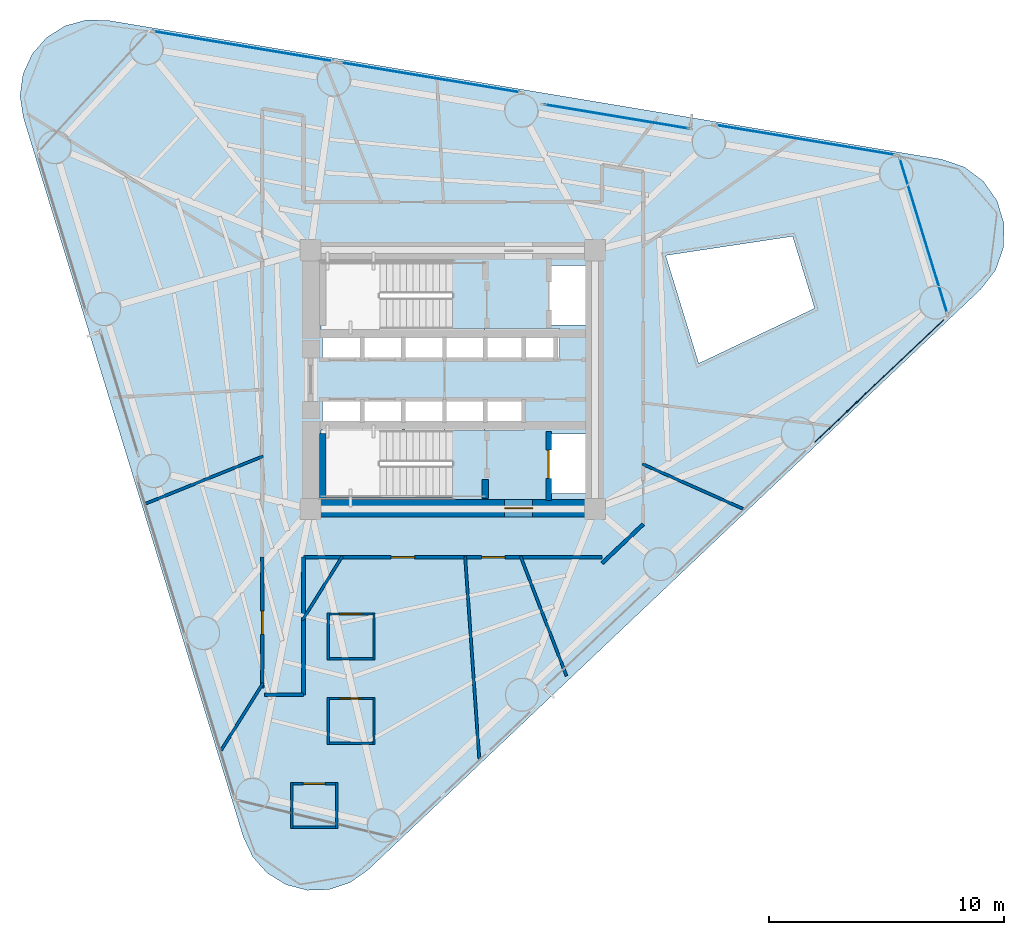
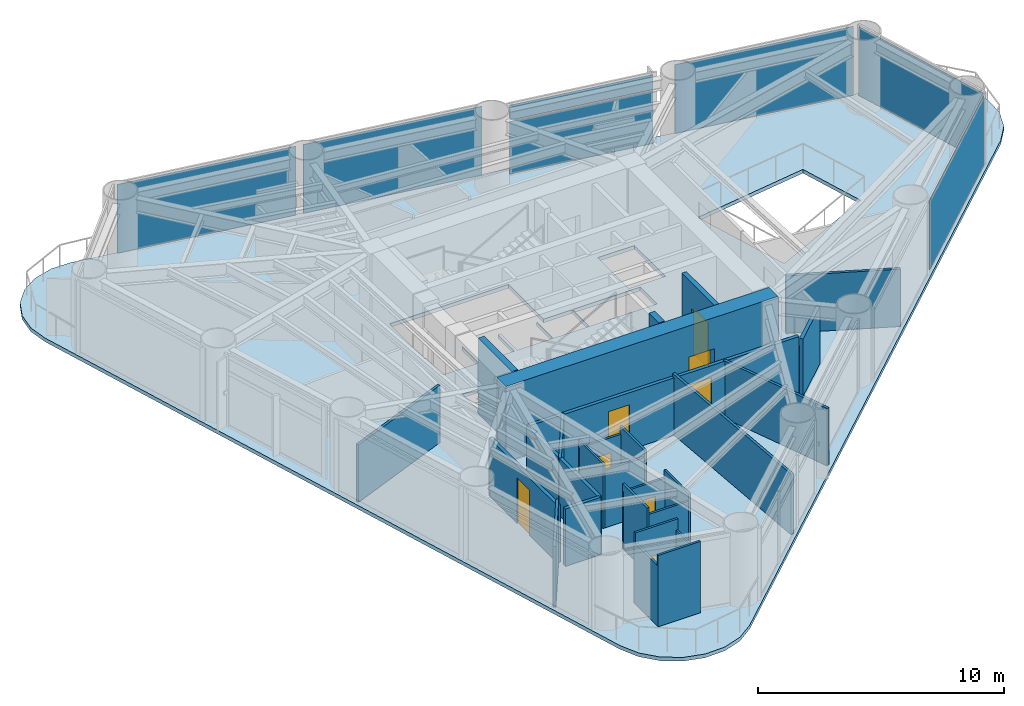
# One storey, part 5 of 10: 27 walls, 8 doors, 7 plates, 1 slab, 8 openings, 6 elements without a shape of their own.
"""IFC4 building model written with IfcOpenShell, lengths in metres."""

from ifc_helpers import new_model, si_unit, direction, frame, frame_2d, origin, origin_2d, place, context, subcontext, project, spatial, polyline, rectangle, outline, extrude, source, transform, mapped, material, layer, layer_set, type_object, element, fill, aggregate, save


model = new_model("IFC4")

# Units and contexts
model_context = context("Model", 3, precision=1e-05, world=origin(), true_north=direction((0.0, 1.0)))
body_context = subcontext(model_context, "Body", "Model", "MODEL_VIEW")
ifc_project = project(units=[si_unit("LENGTHUNIT", "METRE"), si_unit("AREAUNIT", "SQUARE_METRE"), si_unit("VOLUMEUNIT", "CUBIC_METRE"), si_unit("PLANEANGLEUNIT", "RADIAN"), si_unit("MASSUNIT", "GRAM", prefix="KILO")], contexts=[model_context])

# Site, building, storey
site_placement = place(None, origin())
site = spatial("IfcSite", under=ifc_project, at=site_placement, CompositionType="ELEMENT")
building_placement = place(site_placement, origin())
building = spatial("IfcBuilding", under=site, at=building_placement, Name="Yunling Apex Tower", CompositionType="ELEMENT")
storey_placement = place(building_placement, frame((0.0, 0.0, 108.64990234375)))
storey = spatial("IfcBuildingStorey", under=building, at=storey_placement, Name="L27", CompositionType="ELEMENT", Elevation=108.64990234375)

# Slab
ifc_material_1 = material(Name="Concrete C40", Category="concrete")
ifc_layer_1 = layer(ifc_material_1, 0.179931640625)
ifc_layer_set_1 = layer_set([ifc_layer_1], Name="Concrete C40")
slab_type = type_object("IfcSlabType", Name="SL-FLR-1", PredefinedType="FLOOR", material=ifc_layer_set_1)
slab_placement = place(storey_placement, frame((0.0, 0.0, -0.184814453125)))
element("IfcSlab", 1, at=slab_placement, inside=storey, type_object=slab_type, Name="L27 Composite Tower Floor Slab", PredefinedType="FLOOR", context=body_context, shape_type="SweptSolid", body=[
    extrude(outline(polyline([(-8.89990234375, -19.45263671875), (-8.50146484375, -20.294921875), (-7.87841796875, -20.98779296875), (-7.083251953125, -21.473388671875), (-6.182373046875, -21.710693359375), (-5.251220703125, -21.680419921875), (-4.367431640625, -21.384765625), (-3.605712890625, -20.848388671875), (22.4599609375, 3.852294921875), (23.077880859375, 4.65869140625), (23.413818359375, 5.61767578125), (23.434326171875, 6.63330078125), (23.13720703125, 7.60498046875), (22.55224609375, 8.435791015625), (21.737548828125, 9.042724609375), (20.774169921875, 9.36572265625), (-14.6474609375, 15.267822265625), (-15.5791015625, 15.28662109375), (-16.476806640625, 15.03759765625), (-17.265869140625, 14.5419921875), (-17.8798828125, 13.84130859375), (-18.267578125, 12.993896484375), (-18.396728515625, 12.0712890625), (-18.256103515625, 11.150390625), (-8.89990234375, -19.45263671875)]), holes=[polyline([(14.45068359375, 6.091064453125), (15.385986328125, 3.031005859375), (10.4560546875, 0.68701171875), (9.052490234375, 5.27734375), (14.45068359375, 6.091064453125)]), polyline([(5.81005859375, -2.320068359375), (5.81005859375, -4.840087890625), (4.090087890625, -4.840087890625), (4.090087890625, -2.320068359375), (5.81005859375, -2.320068359375)]), polyline([(5.81005859375, 4.840087890625), (5.81005859375, 2.320068359375), (4.090087890625, 2.320068359375), (4.090087890625, 4.840087890625), (5.81005859375, 4.840087890625)]), polyline([(4.534912109375, 0.794921875), (1.364990234375, 0.794921875), (1.364990234375, 2.1650390625), (4.534912109375, 2.1650390625), (4.534912109375, 0.794921875)]), polyline([(3.034912109375, -0.794921875), (3.034912109375, -2.1650390625), (1.364990234375, -2.1650390625), (1.364990234375, -0.794921875), (3.034912109375, -0.794921875)]), polyline([(-3.864990234375, -0.794921875), (-3.864990234375, -2.139892578125), (-3.8349609375, -2.139892578125), (-3.8349609375, -0.794921875), (-2.1650390625, -0.794921875), (-2.1650390625, -2.139892578125), (-2.034912109375, -2.139892578125), (-2.034912109375, -0.794921875), (-0.364990234375, -0.794921875), (-0.364990234375, -2.139892578125), (-0.3349609375, -2.139892578125), (-0.3349609375, -0.794921875), (1.3349609375, -0.794921875), (1.3349609375, -2.1650390625), (-0.010009765625, -2.1650390625), (-0.010009765625, -5.010009765625), (-5.60009765625, -5.010009765625), (-5.60009765625, -2.139892578125), (-5.534912109375, -2.139892578125), (-5.534912109375, -0.794921875), (-3.864990234375, -0.794921875)]), polyline([(-5.60009765625, 2.139892578125), (-5.60009765625, 5.010009765625), (-0.010009765625, 5.010009765625), (-0.010009765625, 2.1650390625), (1.3349609375, 2.1650390625), (1.3349609375, 0.794921875), (-0.3349609375, 0.794921875), (-0.3349609375, 2.139892578125), (-0.364990234375, 2.139892578125), (-0.364990234375, 0.794921875), (-2.034912109375, 0.794921875), (-2.034912109375, 2.139892578125), (-2.1650390625, 2.139892578125), (-2.1650390625, 0.794921875), (-3.8349609375, 0.794921875), (-3.8349609375, 2.139892578125), (-3.864990234375, 2.139892578125), (-3.864990234375, 0.794921875), (-5.534912109375, 0.794921875), (-5.534912109375, 2.139892578125), (-5.60009765625, 2.139892578125)])]), origin(), (0.0, 0.0, 1.0), 0.184814453125),
])

# Curtain wall, plates
ifc_material_2 = material(Name="Bronze anodised aluminium", Category="aluminium")
ifc_layer_2 = layer(ifc_material_2, 0.260009765625)
ifc_layer_set_2 = layer_set([ifc_layer_2], Name="Bronze anodised aluminium")
curtain_wall_type = type_object("IfcCurtainWallType", Name="CW-SYS-2", PredefinedType="NOTDEFINED", material=ifc_layer_set_2)
curtain_wall_1_placement = place(storey_placement, origin())
curtain_wall_1 = element("IfcCurtainWall", 2, at=curtain_wall_1_placement, inside=storey, type_object=curtain_wall_type, Name="CW-L27-F2-B2", PredefinedType="NOTDEFINED")
ifc_material_3 = material(Name="Bronze tinted low-E glass", Category="glass")
ifc_layer_3 = layer(ifc_material_3, 0.033935546875)
ifc_layer_set_3 = layer_set([ifc_layer_3], Name="Bronze tinted low-E glass")
plate_type = type_object("IfcPlateType", Name="CW-PNL-2", PredefinedType="CURTAIN_PANEL", material=ifc_layer_set_3)
shared_shape_1 = source(origin(), body_context, "Body", "SweptSolid", [
    extrude(rectangle(XDim=6.236328125, YDim=0.033935546875, at=origin_2d()), origin(), (0.0, 0.0, 1.0), 2.60400390625),
])
plate_1_placement = place(storey_placement, frame((6.96923828125, 11.17919921875, 0.076904296875), z_axis=(0.0, 0.0, 1.0), x_axis=(-0.986401113409, 0.164355844023, 0.0)))
plate_1 = element("IfcPlate", 3, at=plate_1_placement, type_object=plate_type, Name="CW-SYS-2 panel 1.1", PredefinedType="CURTAIN_PANEL", context=body_context, shape_type="MappedRepresentation", body=[
    mapped(shared_shape_1, transform((0.0, 0.0, 0.0), scale=1.0)),
])
shared_shape_2 = source(origin(), body_context, "Body", "SweptSolid", [
    extrude(rectangle(XDim=6.236328125, YDim=0.033935546875, at=origin_2d()), origin(), (0.0, 0.0, 1.0), 0.739013671875),
])
plate_2_placement = place(storey_placement, frame((6.96923828125, 11.17919921875, 2.74951171875), z_axis=(0.0, 0.0, 1.0), x_axis=(-0.986401113409, 0.164355844023, 0.0)))
plate_2 = element("IfcPlate", 4, at=plate_2_placement, type_object=plate_type, Name="CW-SYS-2 panel 1.2", PredefinedType="CURTAIN_PANEL", context=body_context, shape_type="MappedRepresentation", body=[
    mapped(shared_shape_2, transform((0.0, 0.0, 0.0), scale=1.0)),
])
aggregate(curtain_wall_1, [plate_1, plate_2])

# Curtain wall, plate
curtain_wall_2_placement = place(storey_placement, origin())
curtain_wall_2 = element("IfcCurtainWall", 5, at=curtain_wall_2_placement, inside=storey, type_object=curtain_wall_type, Name="CW-L27-F1-B4", PredefinedType="NOTDEFINED")
shared_shape_3 = source(origin(), body_context, "Body", "SweptSolid", [
    extrude(rectangle(XDim=7.766357421875, YDim=0.033935546875, at=origin_2d()), origin(), (0.0, 0.0, 1.0), 3.41162109375),
])
plate_3_placement = place(storey_placement, frame((18.1279296875, -0.06005859375, 0.076904296875), z_axis=(0.0, 0.0, 1.0), x_axis=(0.72584218686, 0.687861264918, 0.0)))
plate_3 = element("IfcPlate", 6, at=plate_3_placement, type_object=plate_type, Name="CW-SYS-2 panel 1.1", PredefinedType="CURTAIN_PANEL", context=body_context, shape_type="MappedRepresentation", body=[
    mapped(shared_shape_3, transform((0.0, 0.0, 0.0), scale=1.0)),
])
aggregate(curtain_wall_2, [plate_3])

curtain_wall_3_placement = place(storey_placement, origin())
curtain_wall_3 = element("IfcCurtainWall", 7, at=curtain_wall_3_placement, inside=storey, type_object=curtain_wall_type, Name="CW-L27-F2-B1", PredefinedType="NOTDEFINED")
plate_4_placement = place(storey_placement, frame((14.9951171875, 10.186767578125, 0.076904296875), z_axis=(0.0, 0.0, 1.0), x_axis=(-0.98640040698, 0.16436008369, 0.0)))
plate_4 = element("IfcPlate", 8, at=plate_4_placement, type_object=plate_type, Name="CW-SYS-2 panel 1.1", PredefinedType="CURTAIN_PANEL", context=body_context, shape_type="MappedRepresentation", body=[
    mapped(shared_shape_3, transform((0.0, 0.0, 0.0), scale=1.0)),
])
aggregate(curtain_wall_3, [plate_4])

curtain_wall_4_placement = place(storey_placement, origin())
curtain_wall_4 = element("IfcCurtainWall", 9, at=curtain_wall_4_placement, inside=storey, type_object=curtain_wall_type, Name="CW-L27-F2-B4", PredefinedType="NOTDEFINED")
plate_5_placement = place(storey_placement, frame((-8.91455078125, 14.170654296875, 0.076904296875), z_axis=(0.0, 0.0, 1.0), x_axis=(-0.98640040698, 0.16436008369, 0.0)))
plate_5 = element("IfcPlate", 10, at=plate_5_placement, type_object=plate_type, Name="CW-SYS-2 panel 1.1", PredefinedType="CURTAIN_PANEL", context=body_context, shape_type="MappedRepresentation", body=[
    mapped(shared_shape_3, transform((0.0, 0.0, 0.0), scale=1.0)),
])
aggregate(curtain_wall_4, [plate_5])

curtain_wall_5_placement = place(storey_placement, origin())
curtain_wall_5 = element("IfcCurtainWall", 11, at=curtain_wall_5_placement, inside=storey, type_object=curtain_wall_type, Name="CW-L27-CRN1", PredefinedType="NOTDEFINED")
shared_shape_4 = source(origin(), body_context, "Body", "SweptSolid", [
    extrude(rectangle(XDim=6.925537109375, YDim=0.033935546875, at=origin_2d()), origin(), (0.0, 0.0, 1.0), 3.41162109375),
])
plate_6_placement = place(storey_placement, frame((20.01171875, 6.1181640625, 0.076904296875), z_axis=(0.0, 0.0, 1.0), x_axis=(-0.292375009223, 0.95630374567, 0.0)))
plate_6 = element("IfcPlate", 12, at=plate_6_placement, type_object=plate_type, Name="CW-SYS-2 panel 1.1", PredefinedType="CURTAIN_PANEL", context=body_context, shape_type="MappedRepresentation", body=[
    mapped(shared_shape_4, transform((0.0, 0.0, 0.0), scale=1.0)),
])
aggregate(curtain_wall_5, [plate_6])

curtain_wall_6_placement = place(storey_placement, origin())
curtain_wall_6 = element("IfcCurtainWall", 13, at=curtain_wall_6_placement, inside=storey, type_object=curtain_wall_type, Name="CW-L27-F2-B3", PredefinedType="NOTDEFINED")
shared_shape_5 = source(origin(), body_context, "Body", "SweptSolid", [
    extrude(rectangle(XDim=7.76611328125, YDim=0.033935546875, at=origin_2d()), origin(), (0.0, 0.0, 1.0), 3.41162109375),
])
plate_7_placement = place(storey_placement, frame((-0.944580078125, 12.8427734375, 0.076904296875), z_axis=(0.0, 0.0, 1.0), x_axis=(-0.986400065878, 0.164362130784, 0.0)))
plate_7 = element("IfcPlate", 14, at=plate_7_placement, type_object=plate_type, Name="CW-SYS-2 panel 1.1", PredefinedType="CURTAIN_PANEL", context=body_context, shape_type="MappedRepresentation", body=[
    mapped(shared_shape_5, transform((0.0, 0.0, 0.0), scale=1.0)),
])
aggregate(curtain_wall_6, [plate_7])

# Wall, opening, door
ifc_material_4 = material(Name="Concrete C60", Category="concrete")
ifc_layer_4 = layer(ifc_material_4, 0.75)
ifc_layer_set_4 = layer_set([ifc_layer_4], Name="Concrete C60")
wall_type_1 = type_object("IfcWallType", Name="WL-COR-1", PredefinedType="SHEAR", material=ifc_layer_set_4)
wall_1_placement = place(storey_placement, frame((-6.39990234375, -5.47509765625, 0.0), z_axis=(0.0, 0.0, 1.0), x_axis=(1.0, 0.0, 0.0)))
wall_1 = element("IfcWall", 15, at=wall_1_placement, inside=storey, type_object=wall_type_1, Name="L27 South Core Shear Wall", PredefinedType="SHEAR", context=body_context, shape_type="SweptSolid", body=[
    extrude(rectangle(XDim=12.7998046875, YDim=0.75, at=frame_2d((6.39990234375, 0.0))), origin(), (0.0, 0.0, 1.0), 3.75),
])
opening_1_placement = place(wall_1_placement, frame((8.60009765625, 0.0, 0.0)))
opening_1 = element("IfcOpeningElement", 16, at=opening_1_placement, cuts=wall_1, Name="Opening DR-FFL-1", PredefinedType="OPENING", context=body_context, shape_type="SweptSolid", body=[
    extrude(rectangle(XDim=1.199951171875, YDim=2.199951171875, at=frame_2d((0.60009765625, 1.10009765625))), frame((0.0, 0.385009765625, 0.0), z_axis=(0.0, -1.0, 0.0), x_axis=(1.0, 0.0, 0.0)), (0.0, 0.0, 1.0), 0.77001953125),
])
ifc_material_5 = material(Name="Steel Q355B", Category="steel")
door_type_1 = type_object("IfcDoorType", Name="DR-FFL-1", OperationType="NOTDEFINED", PredefinedType="DOOR", material=ifc_material_5)
door_1_placement = place(opening_1_placement, origin())
door_1 = element("IfcDoor", 17, at=door_1_placement, inside=storey, type_object=door_type_1, Name="L27 South Firefighting Lobby Door", OperationType="SINGLE_SWING_RIGHT", OverallHeight=2.199951171875, OverallWidth=1.199951171875, PredefinedType="DOOR", context=body_context, shape_type="SweptSolid", body=[
    extrude(rectangle(XDim=1.199951171875, YDim=2.199951171875, at=frame_2d((0.60009765625, 1.10009765625))), frame((0.0, 0.02490234375, 0.0), z_axis=(0.0, -1.0, 0.0), x_axis=(1.0, 0.0, 0.0)), (0.0, 0.0, 1.0), 0.050048828125),
])
fill(opening_1, door_1)

# Walls
ifc_layer_5 = layer(ifc_material_1, 0.280029296875)
ifc_layer_set_5 = layer_set([ifc_layer_5], Name="Concrete C40")
wall_type_2 = type_object("IfcWallType", Name="WL-COR-8", PredefinedType="SHEAR", material=ifc_layer_set_5)
wall_2_placement = place(storey_placement, frame((-5.52001953125, -5.050048828125, 0.0), z_axis=(0.0, 0.0, 1.0), x_axis=(0.0, 1.0, 0.0)))
element("IfcWall", 18, at=wall_2_placement, inside=storey, type_object=wall_type_2, Name="L27 ST-2 West Landing Bearing Wall", PredefinedType="SHEAR", context=body_context, shape_type="SweptSolid", body=[
    extrude(rectangle(XDim=2.75, YDim=0.280029296875, at=frame_2d((1.375, 0.0))), origin(), (0.0, 0.0, 1.0), 3.75),
])
wall_3_placement = place(storey_placement, frame((1.3798828125, -5.050048828125, 0.0), z_axis=(0.0, 0.0, 1.0), x_axis=(0.0, 1.0, 0.0)))
element("IfcWall", 19, at=wall_3_placement, inside=storey, type_object=wall_type_2, Name="L27 ST-2 East Landing Bearing Pier", PredefinedType="SHEAR", context=body_context, shape_type="SweptSolid", body=[
    extrude(rectangle(XDim=0.800048828125, YDim=0.280029296875, at=frame_2d((0.39990234375, 0.0))), origin(), (0.0, 0.0, 1.0), 3.75),
])

# Wall, opening, door
ifc_material_6 = material(Name="Gypsum board acoustic partition")
ifc_layer_6 = layer(ifc_material_6, 0.159912109375)
ifc_layer_set_6 = layer_set([ifc_layer_6], Name="Gypsum board acoustic partition")
wall_type_3 = type_object("IfcWallType", Name="WL-PRT-1", PredefinedType="PARTITIONING", material=ifc_layer_set_6)
wall_4_placement = place(storey_placement, frame((-8.10009765625, -13.107421875, 0.0), z_axis=(0.0, 0.0, 1.0), x_axis=(0.0, 1.0, 0.0)))
wall_4 = element("IfcWall", 20, at=wall_4_placement, inside=storey, type_object=wall_type_3, Name="WL-CORR-L27-02", PredefinedType="PARTITIONING", context=body_context, shape_type="SweptSolid", body=[
    extrude(rectangle(XDim=5.557373046875, YDim=0.159912109375, at=frame_2d((2.77880859375, 0.0))), origin(), (0.0, 0.0, 1.0), 2.85009765625),
])
opening_2_placement = place(wall_4_placement, frame((2.27880859375, 0.0, 0.0)))
opening_2 = element("IfcOpeningElement", 21, at=opening_2_placement, cuts=wall_4, Name="Opening DR-OFF-1", PredefinedType="OPENING", context=body_context, shape_type="SweptSolid", body=[
    extrude(rectangle(XDim=1.0, YDim=2.25, at=frame_2d((0.5, 1.125))), frame((0.0, 0.08984375, 0.0), z_axis=(0.0, -1.0, 0.0), x_axis=(1.0, 0.0, 0.0)), (0.0, 0.0, 1.0), 0.179931640625),
])
door_type_2 = type_object("IfcDoorType", Name="DR-OFF-1", OperationType="NOTDEFINED", PredefinedType="DOOR", material=ifc_material_2)
door_2_placement = place(opening_2_placement, origin())
door_2 = element("IfcDoor", 22, at=door_2_placement, inside=storey, type_object=door_type_2, Name="L27 Business Reading Lounge Door", OperationType="SINGLE_SWING_LEFT", OverallHeight=2.25, OverallWidth=1.0, PredefinedType="DOOR", context=body_context, shape_type="SweptSolid", body=[
    extrude(rectangle(XDim=1.0, YDim=2.25, at=frame_2d((0.5, 1.125))), frame((0.0, 0.02490234375, 0.0), z_axis=(0.0, -1.0, 0.0), x_axis=(1.0, 0.0, 0.0)), (0.0, 0.0, 1.0), 0.050048828125),
])
fill(opening_2, door_2)

# Wall
wall_5_placement = place(storey_placement, frame((8.10009765625, -6.146240234375, 0.0), z_axis=(0.0, 0.0, 1.0), x_axis=(-0.725888815428, -0.687812058368, 0.0)))
element("IfcWall", 23, at=wall_5_placement, inside=storey, type_object=wall_type_3, Name="WL-CORR-L27-13", PredefinedType="PARTITIONING", context=body_context, shape_type="SweptSolid", body=[
    extrude(rectangle(XDim=2.410888671875, YDim=0.159912109375, at=frame_2d((1.20556640625, 0.0))), origin(), (0.0, 0.0, 1.0), 2.85009765625),
])

# Wall, openings, doors
wall_6_placement = place(storey_placement, frame((6.35009765625, -7.550048828125, 0.0), z_axis=(0.0, 0.0, 1.0), x_axis=(-1.0, 0.0, 0.0)))
wall_6 = element("IfcWall", 24, at=wall_6_placement, inside=storey, type_object=wall_type_3, Name="WL-CORR-L27-15", PredefinedType="PARTITIONING", context=body_context, shape_type="SweptSolid", body=[
    extrude(rectangle(XDim=12.7001953125, YDim=0.159912109375, at=frame_2d((6.35009765625, 0.0))), origin(), (0.0, 0.0, 1.0), 2.85009765625),
])
opening_3_placement = place(wall_6_placement, frame((4.12109375, 0.0, 0.0)))
opening_3 = element("IfcOpeningElement", 25, at=opening_3_placement, cuts=wall_6, Name="Opening DR-OFF-1", PredefinedType="OPENING", context=body_context, shape_type="SweptSolid", body=[
    extrude(rectangle(XDim=1.0, YDim=2.25, at=frame_2d((0.5, 1.125))), frame((0.0, 0.08984375, 0.0), z_axis=(0.0, -1.0, 0.0), x_axis=(1.0, 0.0, 0.0)), (0.0, 0.0, 1.0), 0.179931640625),
])
opening_4_placement = place(wall_6_placement, frame((7.966064453125, 0.0, 0.0)))
opening_4 = element("IfcOpeningElement", 26, at=opening_4_placement, cuts=wall_6, Name="Opening DR-OFF-1", PredefinedType="OPENING", context=body_context, shape_type="SweptSolid", body=[
    extrude(rectangle(XDim=1.0, YDim=2.25, at=frame_2d((0.5, 1.125))), frame((0.0, 0.08984375, 0.0), z_axis=(0.0, -1.0, 0.0), x_axis=(1.0, 0.0, 0.0)), (0.0, 0.0, 1.0), 0.179931640625),
])
door_3_placement = place(opening_3_placement, origin())
door_3 = element("IfcDoor", 27, at=door_3_placement, inside=storey, type_object=door_type_2, Name="L27 Business Reading Lounge Door", OperationType="SINGLE_SWING_RIGHT", OverallHeight=2.25, OverallWidth=1.0, PredefinedType="DOOR", context=body_context, shape_type="SweptSolid", body=[
    extrude(rectangle(XDim=1.0, YDim=2.25, at=frame_2d((0.5, 1.125))), frame((0.0, 0.02490234375, 0.0), z_axis=(0.0, -1.0, 0.0), x_axis=(1.0, 0.0, 0.0)), (0.0, 0.0, 1.0), 0.050048828125),
])
fill(opening_3, door_3)
door_4_placement = place(opening_4_placement, origin())
door_4 = element("IfcDoor", 28, at=door_4_placement, inside=storey, type_object=door_type_2, Name="L27 Service Foyer Lounge Door", OperationType="SINGLE_SWING_LEFT", OverallHeight=2.25, OverallWidth=1.0, PredefinedType="DOOR", context=body_context, shape_type="SweptSolid", body=[
    extrude(rectangle(XDim=1.0, YDim=2.25, at=frame_2d((0.5, 1.125))), frame((0.0, 0.02490234375, 0.0), z_axis=(0.0, -1.0, 0.0), x_axis=(1.0, 0.0, 0.0)), (0.0, 0.0, 1.0), 0.050048828125),
])
fill(opening_4, door_4)

# Walls
wall_7_placement = place(storey_placement, frame((-6.35009765625, -7.550048828125, 0.0), z_axis=(0.0, 0.0, 1.0), x_axis=(0.0, -1.0, 0.0)))
element("IfcWall", 29, at=wall_7_placement, inside=storey, type_object=wall_type_3, Name="WL-CORR-L27-16", PredefinedType="PARTITIONING", context=body_context, shape_type="SweptSolid", body=[
    extrude(rectangle(XDim=5.849853515625, YDim=0.159912109375, at=frame_2d((2.9248046875, 0.0))), origin(), (0.0, 0.0, 1.0), 2.85009765625),
])
wall_8_placement = place(storey_placement, frame((-6.35009765625, -13.39990234375, 0.0), z_axis=(0.0, 0.0, 1.0), x_axis=(-1.0, 0.0, 0.0)))
element("IfcWall", 30, at=wall_8_placement, inside=storey, type_object=wall_type_3, Name="WL-CORR-L27-17", PredefinedType="PARTITIONING", context=body_context, shape_type="SweptSolid", body=[
    extrude(rectangle(XDim=1.660400390625, YDim=0.159912109375, at=frame_2d((0.830078125, 0.0))), origin(), (0.0, 0.0, 1.0), 2.85009765625),
])
ifc_layer_7 = layer(ifc_material_6, 0.1201171875)
ifc_layer_set_7 = layer_set([ifc_layer_7], Name="Gypsum board acoustic partition")
wall_type_4 = type_object("IfcWallType", Name="WL-PRT-3", PredefinedType="PARTITIONING", material=ifc_layer_set_7)
wall_9_placement = place(storey_placement, frame((-8.06005859375, -3.256591796875, 0.0), z_axis=(0.0, 0.0, 1.0), x_axis=(-0.927184543748, -0.374604887627, 0.0)))
element("IfcWall", 31, at=wall_9_placement, inside=storey, type_object=wall_type_4, Name="WL-RAD-L27-02", PredefinedType="PARTITIONING", context=body_context, shape_type="SweptSolid", body=[
    extrude(rectangle(XDim=5.378662109375, YDim=0.1201171875, at=frame_2d((2.689453125, 0.0))), origin(), (0.0, 0.0, 1.0), 2.85009765625),
])
wall_10_placement = place(storey_placement, frame((-4.69287109375, -7.510009765625, 0.0), z_axis=(0.0, 0.0, 1.0), x_axis=(-0.529882447014, -0.848071100997, 0.0)))
element("IfcWall", 32, at=wall_10_placement, inside=storey, type_object=wall_type_4, Name="WL-RAD-L27-03", PredefinedType="PARTITIONING", context=body_context, shape_type="SweptSolid", body=[
    extrude(rectangle(XDim=3.20263671875, YDim=0.1201171875, at=frame_2d((1.601318359375, 0.0))), origin(), (0.0, 0.0, 1.0), 2.85009765625),
])
wall_11_placement = place(storey_placement, frame((-8.06005859375, -12.898681640625, 0.0), z_axis=(0.0, 0.0, 1.0), x_axis=(-0.529927190475, -0.84804314324, 0.0)))
element("IfcWall", 33, at=wall_11_placement, inside=storey, type_object=wall_type_4, Name="WL-RAD-L27-04", PredefinedType="PARTITIONING", context=body_context, shape_type="SweptSolid", body=[
    extrude(rectangle(XDim=3.364501953125, YDim=0.1201171875, at=frame_2d((1.68212890625, 0.0))), origin(), (0.0, 0.0, 1.0), 3.010009765625),
])
wall_12_placement = place(storey_placement, frame((0.525146484375, -7.510009765625, 0.0), z_axis=(0.0, 0.0, 1.0), x_axis=(0.069760692691, -0.997563755233, 0.0)))
element("IfcWall", 34, at=wall_12_placement, inside=storey, type_object=wall_type_4, Name="WL-RAD-L27-05", PredefinedType="PARTITIONING", context=body_context, shape_type="SweptSolid", body=[
    extrude(rectangle(XDim=8.626708984375, YDim=0.1201171875, at=frame_2d((4.3134765625, 0.0))), origin(), (0.0, 0.0, 1.0), 3.010009765625),
])
wall_13_placement = place(storey_placement, frame((2.8828125, -7.510009765625, 0.0), z_axis=(0.0, 0.0, 1.0), x_axis=(0.35836087515, -0.933583142072, 0.0)))
element("IfcWall", 35, at=wall_13_placement, inside=storey, type_object=wall_type_4, Name="WL-RAD-L27-06", PredefinedType="PARTITIONING", context=body_context, shape_type="SweptSolid", body=[
    extrude(rectangle(XDim=5.4521484375, YDim=0.1201171875, at=frame_2d((2.72607421875, 0.0))), origin(), (0.0, 0.0, 1.0), 2.85009765625),
])
wall_14_placement = place(storey_placement, frame((8.06005859375, -3.58837890625, 0.0), z_axis=(0.0, 0.0, 1.0), x_axis=(0.913536081089, -0.406757702506, 0.0)))
element("IfcWall", 36, at=wall_14_placement, inside=storey, type_object=wall_type_4, Name="WL-RAD-L27-07", PredefinedType="PARTITIONING", context=body_context, shape_type="SweptSolid", body=[
    extrude(rectangle(XDim=4.681640625, YDim=0.1201171875, at=frame_2d((2.3408203125, 0.0))), origin(), (0.0, 0.0, 1.0), 2.85009765625),
])

# Wall, opening, door
ifc_layer_8 = layer(ifc_material_6, 0.10009765625)
ifc_layer_set_8 = layer_set([ifc_layer_8], Name="Gypsum board acoustic partition")
wall_type_5 = type_object("IfcWallType", Name="WL-PRT-4", PredefinedType="PARTITIONING", material=ifc_layer_set_8)
wall_15_placement = place(storey_placement, frame((-5.34912109375, -13.55908203125, 0.0), z_axis=(0.0, 0.0, 1.0), x_axis=(1.0, 0.0, 0.0)))
wall_15 = element("IfcWall", 37, at=wall_15_placement, inside=storey, type_object=wall_type_5, Name="WL-L27-WCMN", PredefinedType="PARTITIONING", context=body_context, shape_type="SweptSolid", body=[
    extrude(rectangle(XDim=2.050048828125, YDim=0.10009765625, at=frame_2d((1.02490234375, 0.0))), origin(), (0.0, 0.0, 1.0), 2.85009765625),
])
opening_5_placement = place(wall_15_placement, frame((0.56494140625, 0.0, 0.0)))
opening_5 = element("IfcOpeningElement", 38, at=opening_5_placement, cuts=wall_15, Name="Opening DR-WC-1", PredefinedType="OPENING", context=body_context, shape_type="SweptSolid", body=[
    extrude(rectangle(XDim=0.919921875, YDim=2.10009765625, at=frame_2d((0.4599609375, 1.050048828125))), frame((0.0, 0.06005859375, 0.0), z_axis=(0.0, -1.0, 0.0), x_axis=(1.0, 0.0, 0.0)), (0.0, 0.0, 1.0), 0.1201171875),
])
ifc_material_7 = material(Name="Timber moisture-resistant leaf", Category="wood")
door_type_3 = type_object("IfcDoorType", Name="DR-WC-1", OperationType="NOTDEFINED", PredefinedType="DOOR", material=ifc_material_7)
door_5_placement = place(opening_5_placement, origin())
door_5 = element("IfcDoor", 39, at=door_5_placement, inside=storey, type_object=door_type_3, Name="L27 Male Toilet Door", OperationType="SINGLE_SWING_RIGHT", OverallHeight=2.10009765625, OverallWidth=0.919921875, PredefinedType="DOOR", context=body_context, shape_type="SweptSolid", body=[
    extrude(rectangle(XDim=0.919921875, YDim=2.10009765625, at=frame_2d((0.4599609375, 1.050048828125))), frame((0.0, 0.02490234375, 0.0), z_axis=(0.0, -1.0, 0.0), x_axis=(1.0, 0.0, 0.0)), (0.0, 0.0, 1.0), 0.050048828125),
])
fill(opening_5, door_5)

# Walls
wall_16_placement = place(storey_placement, frame((-3.299072265625, -15.458984375, 0.0), z_axis=(0.0, 0.0, 1.0), x_axis=(-1.0, 0.0, 0.0)))
element("IfcWall", 40, at=wall_16_placement, inside=storey, type_object=wall_type_5, Name="WL-L27-WCMS", PredefinedType="PARTITIONING", context=body_context, shape_type="SweptSolid", body=[
    extrude(rectangle(XDim=2.050048828125, YDim=0.10009765625, at=frame_2d((1.02490234375, 0.0))), origin(), (0.0, 0.0, 1.0), 2.85009765625),
])
for number, where, z_axis, x_axis, name in (
    (41, (-3.34912109375, -13.509033203125, 0.0), (0.0, 0.0, 1.0), (0.0, -1.0, 0.0), "WL-L27-WCME"),
    (42, (-5.299072265625, -15.509033203125, 0.0), (0.0, 0.0, 1.0), (0.0, 1.0, 0.0), "WL-L27-WCMW"),
):
    element("IfcWall", number, at=place(storey_placement, frame(where, z_axis=z_axis, x_axis=x_axis)), inside=storey, type_object=wall_type_5, Name=name, PredefinedType="PARTITIONING", context=body_context, shape_type="SweptSolid", body=[
        extrude(rectangle(XDim=2.0, YDim=0.10009765625, at=frame_2d((1.0, 0.0))), origin(), (0.0, 0.0, 1.0), 3.2001953125),
    ])

# Wall, opening, door
wall_17_placement = place(storey_placement, frame((-5.34912109375, -9.964111328125, 0.0), z_axis=(0.0, 0.0, 1.0), x_axis=(1.0, 0.0, 0.0)))
wall_17 = element("IfcWall", 43, at=wall_17_placement, inside=storey, type_object=wall_type_5, Name="WL-L27-WCFN", PredefinedType="PARTITIONING", context=body_context, shape_type="SweptSolid", body=[
    extrude(rectangle(XDim=2.050048828125, YDim=0.10009765625, at=frame_2d((1.02490234375, 0.0))), origin(), (0.0, 0.0, 1.0), 2.85009765625),
])
opening_6_placement = place(wall_17_placement, frame((0.56494140625, 0.0, 0.0)))
opening_6 = element("IfcOpeningElement", 44, at=opening_6_placement, cuts=wall_17, Name="Opening DR-WC-1", PredefinedType="OPENING", context=body_context, shape_type="SweptSolid", body=[
    extrude(rectangle(XDim=0.919921875, YDim=2.10009765625, at=frame_2d((0.4599609375, 1.050048828125))), frame((0.0, 0.06005859375, 0.0), z_axis=(0.0, -1.0, 0.0), x_axis=(1.0, 0.0, 0.0)), (0.0, 0.0, 1.0), 0.1201171875),
])
door_6_placement = place(opening_6_placement, origin())
door_6 = element("IfcDoor", 45, at=door_6_placement, inside=storey, type_object=door_type_3, Name="L27 Female Toilet Door", OperationType="SINGLE_SWING_LEFT", OverallHeight=2.10009765625, OverallWidth=0.919921875, PredefinedType="DOOR", context=body_context, shape_type="SweptSolid", body=[
    extrude(rectangle(XDim=0.919921875, YDim=2.10009765625, at=frame_2d((0.4599609375, 1.050048828125))), frame((0.0, 0.02490234375, 0.0), z_axis=(0.0, -1.0, 0.0), x_axis=(1.0, 0.0, 0.0)), (0.0, 0.0, 1.0), 0.050048828125),
])
fill(opening_6, door_6)

# Walls
wall_18_placement = place(storey_placement, frame((-3.299072265625, -11.864013671875, 0.0), z_axis=(0.0, 0.0, 1.0), x_axis=(-1.0, 0.0, 0.0)))
element("IfcWall", 46, at=wall_18_placement, inside=storey, type_object=wall_type_5, Name="WL-L27-WCFS", PredefinedType="PARTITIONING", context=body_context, shape_type="SweptSolid", body=[
    extrude(rectangle(XDim=2.050048828125, YDim=0.10009765625, at=frame_2d((1.02490234375, 0.0))), origin(), (0.0, 0.0, 1.0), 2.85009765625),
])
for number, where, z_axis, x_axis, name in (
    (47, (-3.34912109375, -9.9140625, 0.0), (0.0, 0.0, 1.0), (0.0, -1.0, 0.0), "WL-L27-WCFE"),
    (48, (-5.299072265625, -11.9140625, 0.0), (0.0, 0.0, 1.0), (0.0, 1.0, 0.0), "WL-L27-WCFW"),
):
    element("IfcWall", number, at=place(storey_placement, frame(where, z_axis=z_axis, x_axis=x_axis)), inside=storey, type_object=wall_type_5, Name=name, PredefinedType="PARTITIONING", context=body_context, shape_type="SweptSolid", body=[
        extrude(rectangle(XDim=2.0, YDim=0.10009765625, at=frame_2d((1.0, 0.0))), origin(), (0.0, 0.0, 1.0), 3.2001953125),
    ])

# Wall, opening, door
wall_19_placement = place(storey_placement, frame((-6.887939453125, -17.177978515625, 0.0), z_axis=(0.0, 0.0, 1.0), x_axis=(1.0, 0.0, 0.0)))
wall_19 = element("IfcWall", 49, at=wall_19_placement, inside=storey, type_object=wall_type_5, Name="WL-L27-WCAN", PredefinedType="PARTITIONING", context=body_context, shape_type="SweptSolid", body=[
    extrude(rectangle(XDim=2.0, YDim=0.10009765625, at=frame_2d((1.0, 0.0))), origin(), (0.0, 0.0, 1.0), 3.545166015625),
])
opening_7_placement = place(wall_19_placement, frame((0.5400390625, 0.0, 0.0)))
opening_7 = element("IfcOpeningElement", 50, at=opening_7_placement, cuts=wall_19, Name="Opening DR-WC-1", PredefinedType="OPENING", context=body_context, shape_type="SweptSolid", body=[
    extrude(rectangle(XDim=0.919921875, YDim=2.10009765625, at=frame_2d((0.4599609375, 1.050048828125))), frame((0.0, 0.06005859375, 0.0), z_axis=(0.0, -1.0, 0.0), x_axis=(1.0, 0.0, 0.0)), (0.0, 0.0, 1.0), 0.1201171875),
])
door_7_placement = place(opening_7_placement, origin())
door_7 = element("IfcDoor", 51, at=door_7_placement, inside=storey, type_object=door_type_3, Name="L27 Accessible WC Door", OperationType="SINGLE_SWING_RIGHT", OverallHeight=2.10009765625, OverallWidth=0.919921875, PredefinedType="DOOR", context=body_context, shape_type="SweptSolid", body=[
    extrude(rectangle(XDim=0.919921875, YDim=2.10009765625, at=frame_2d((0.4599609375, 1.050048828125))), frame((0.0, 0.02490234375, 0.0), z_axis=(0.0, -1.0, 0.0), x_axis=(1.0, 0.0, 0.0)), (0.0, 0.0, 1.0), 0.050048828125),
])
fill(opening_7, door_7)

# Walls
wall_20_placement = place(storey_placement, frame((-4.887939453125, -19.028076171875, 0.0), z_axis=(0.0, 0.0, 1.0), x_axis=(-1.0, 0.0, 0.0)))
element("IfcWall", 52, at=wall_20_placement, inside=storey, type_object=wall_type_5, Name="WL-L27-WCAS", PredefinedType="PARTITIONING", context=body_context, shape_type="SweptSolid", body=[
    extrude(rectangle(XDim=2.0, YDim=0.10009765625, at=frame_2d((1.0, 0.0))), origin(), (0.0, 0.0, 1.0), 3.545166015625),
])
for number, where, z_axis, x_axis, name in (
    (53, (-4.93798828125, -17.1279296875, 0.0), (0.0, 0.0, 1.0), (0.0, -1.0, 0.0), "WL-L27-WCAE"),
    (54, (-6.837890625, -19.077880859375, 0.0), (0.0, 0.0, 1.0), (0.0, 1.0, 0.0), "WL-L27-WCAW"),
):
    element("IfcWall", number, at=place(storey_placement, frame(where, z_axis=z_axis, x_axis=x_axis)), inside=storey, type_object=wall_type_5, Name=name, PredefinedType="PARTITIONING", context=body_context, shape_type="SweptSolid", body=[
        extrude(rectangle(XDim=1.949951171875, YDim=0.10009765625, at=frame_2d((0.97509765625, 0.0))), origin(), (0.0, 0.0, 1.0), 3.010009765625),
    ])

# Wall, opening, door
ifc_material_8 = material(Name="Autoclaved aerated concrete masonry", Category="masonry")
ifc_layer_9 = layer(ifc_material_8, 0.219970703125)
ifc_layer_set_9 = layer_set([ifc_layer_9], Name="Autoclaved aerated concrete masonry")
wall_type_6 = type_object("IfcWallType", Name="WL-SHF-1", PredefinedType="PLUMBINGWALL", material=ifc_layer_set_9)
wall_21_placement = place(storey_placement, frame((4.080078125, -5.14990234375, 0.0), z_axis=(0.0, 0.0, 1.0), x_axis=(0.0, 1.0, 0.0)))
wall_21 = element("IfcWall", 55, at=wall_21_placement, inside=storey, type_object=wall_type_6, Name="WL-FFL2-W-L27", PredefinedType="PLUMBINGWALL", context=body_context, shape_type="SweptSolid", body=[
    extrude(rectangle(XDim=2.949951171875, YDim=0.219970703125, at=frame_2d((1.47509765625, 0.0))), origin(), (0.0, 0.0, 1.0), 3.545166015625),
])
opening_8_placement = place(wall_21_placement, frame((0.949951171875, 0.0, 0.0)))
opening_8 = element("IfcOpeningElement", 56, at=opening_8_placement, cuts=wall_21, Name="Opening LD-FFL-1", PredefinedType="OPENING", context=body_context, shape_type="SweptSolid", body=[
    extrude(rectangle(XDim=1.199951171875, YDim=2.25, at=frame_2d((0.60009765625, 1.125))), frame((0.0, 0.1201171875, 0.0), z_axis=(0.0, -1.0, 0.0), x_axis=(1.0, 0.0, 0.0)), (0.0, 0.0, 1.0), 0.239990234375),
])
door_type_4 = type_object("IfcDoorType", Name="LD-FFL-1", OperationType="DOUBLE_DOOR_SLIDING", PredefinedType="DOOR", material=ifc_material_5)
door_8_placement = place(opening_8_placement, origin())
door_8 = element("IfcDoor", 57, at=door_8_placement, inside=storey, type_object=door_type_4, Name="L27 Lift FFL-2 Landing Door", OperationType="DOUBLE_DOOR_SLIDING", OverallHeight=2.25, OverallWidth=1.199951171875, PredefinedType="DOOR", context=body_context, shape_type="SweptSolid", body=[
    extrude(rectangle(XDim=1.199951171875, YDim=2.25, at=frame_2d((0.60009765625, 1.125))), frame((0.0, 0.02490234375, 0.0), z_axis=(0.0, -1.0, 0.0), x_axis=(1.0, 0.0, 0.0)), (0.0, 0.0, 1.0), 0.050048828125),
])
fill(opening_8, door_8)

save(model, "model.ifc")
